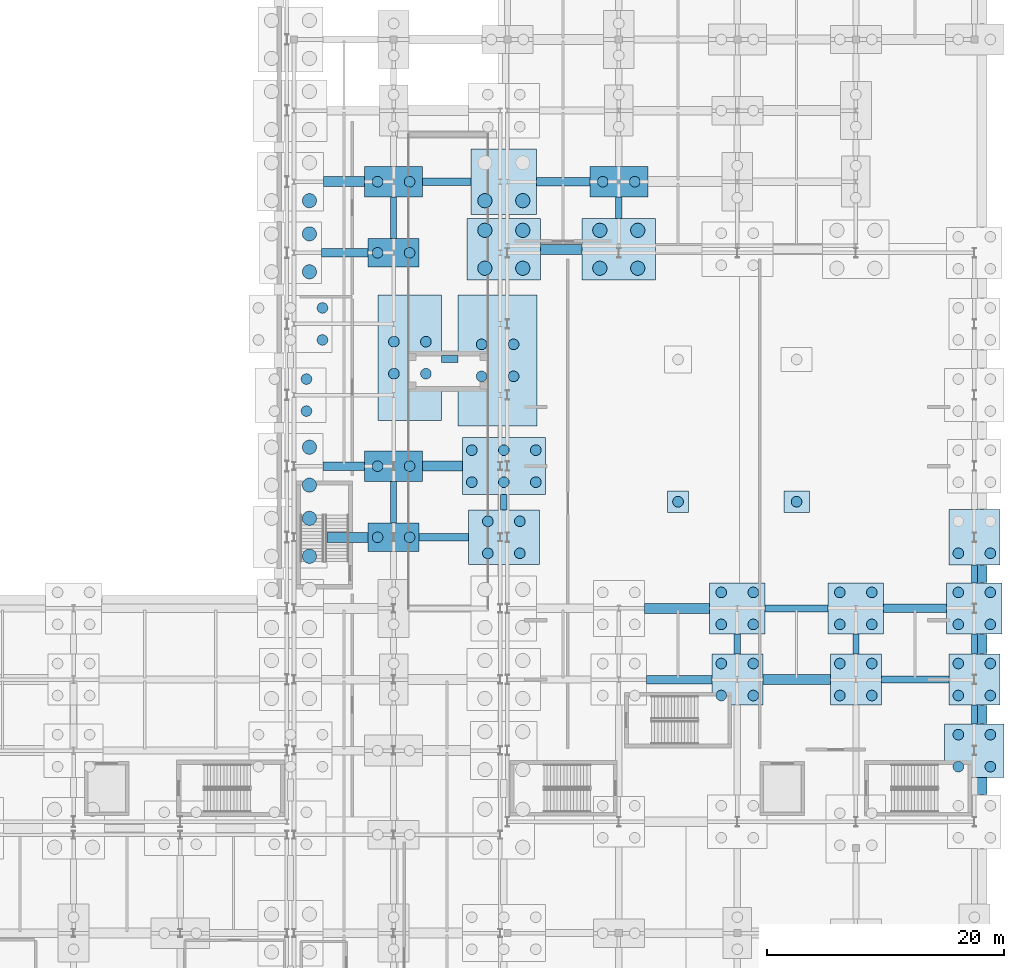
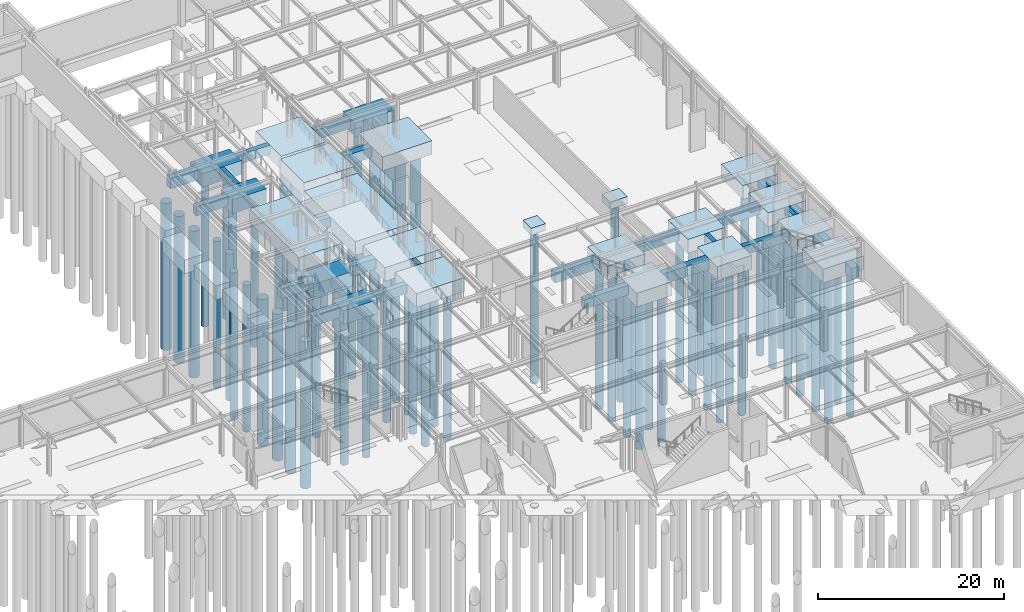
# One storey, part 10 of 65: 81 piles, 51 footings.
"""IFC4 building model written with IfcOpenShell, lengths in metres."""

from ifc_helpers import new_model, si_unit, direction, frame, origin, origin_2d, place, context, subcontext, project, spatial, rectangle, circle, extrude, material, material_profile, profile_set, type_object, element, save


model = new_model("IFC4")

# Units and contexts
model_context = context("Model", 3, precision=1e-05, world=origin(), true_north=direction((0.0, 1.0)))
body_context = subcontext(model_context, "Body", "Model", "MODEL_VIEW")
ifc_project = project(units=[si_unit("LENGTHUNIT", "METRE"), si_unit("AREAUNIT", "SQUARE_METRE"), si_unit("VOLUMEUNIT", "CUBIC_METRE"), si_unit("PLANEANGLEUNIT", "RADIAN"), si_unit("MASSUNIT", "GRAM", prefix="KILO")], contexts=[model_context])

# Site, building, storey
site_placement = place(None, origin())
site = spatial("IfcSite", under=ifc_project, at=site_placement, CompositionType="ELEMENT")
building_placement = place(site_placement, origin())
building = spatial("IfcBuilding", under=site, at=building_placement, Name="Kaldris Quays Convention Centre", CompositionType="ELEMENT")
storey_placement = place(building_placement, frame((0.0, 0.0, -5.39990234375)))
storey = spatial("IfcBuildingStorey", under=building, at=storey_placement, Name="B1", CompositionType="ELEMENT", Elevation=-5.39990234375)

# Piles
ifc_material = material(Name="Concrete C35/45", Category="concrete")
ifc_material_profile_1 = material_profile(ifc_material, circle(Radius=0.449951171875, at=origin_2d()), Name="BORED PILE D900")
ifc_profile_set_1 = profile_set([ifc_material_profile_1], Name="Concrete C35/45")
pile_type_1 = type_object("IfcPileType", Name="BORED PILE P01", PredefinedType="BORED", material=ifc_profile_set_1)
for number, where, z_axis, x_axis, name in (
    (1, (147.64990234375, 90.64990234375, -1.7001953125), (0.0, 0.0, -1.0), (1.0, 0.0, 0.0), "Bored Pile P01 486"),
    (2, (147.64990234375, 93.35009765625, -1.7001953125), (0.0, 0.0, -1.0), (1.0, 0.0, 0.0), "Bored Pile P01 488"),
    (3, (149.0, 96.64990234375, -1.7001953125), (0.0, 0.0, -1.0), (1.0, 0.0, 0.0), "Bored Pile P01 491"),
    (4, (149.0, 99.35009765625, -1.7001953125), (0.0, 0.0, -1.0), (1.0, 0.0, 0.0), "Bored Pile P01 494"),
    (5, (153.64990234375, 80.0, -1.7001953125), (0.0, 0.0, -1.0), (1.0, 0.0, 0.0), "Bored Pile P01 543"),
    (6, (156.35009765625, 80.0, -1.7001953125), (0.0, 0.0, -1.0), (1.0, 0.0, 0.0), "Bored Pile P01 544"),
    (7, (153.64990234375, 86.0, -1.7001953125), (0.0, 0.0, -1.0), (1.0, 0.0, 0.0), "Bored Pile P01 545"),
    (8, (156.35009765625, 86.0, -1.7001953125), (0.0, 0.0, -1.0), (1.0, 0.0, 0.0), "Bored Pile P01 546"),
    (9, (155.02490234375, 93.800048828125, -1.7001953125), (0.0, 0.0, -1.0), (1.0, 0.0, 0.0), "Bored Pile P01 547"),
    (10, (157.72509765625, 93.800048828125, -1.7001953125), (0.0, 0.0, -1.0), (1.0, 0.0, 0.0), "Bored Pile P01 548"),
    (11, (155.02490234375, 96.5, -1.7001953125), (0.0, 0.0, -1.0), (1.0, 0.0, 0.0), "Bored Pile P01 549"),
    (12, (157.72509765625, 96.5, -1.7001953125), (0.0, 0.0, -1.0), (1.0, 0.0, 0.0), "Bored Pile P01 550"),
    (13, (153.64990234375, 104.0, -1.7001953125), (0.0, 0.0, -1.0), (1.0, 0.0, 0.0), "Bored Pile P01 551"),
    (14, (156.35009765625, 104.0, -1.7001953125), (0.0, 0.0, -1.0), (1.0, 0.0, 0.0), "Bored Pile P01 552"),
    (15, (153.64990234375, 110.0, -1.7001953125), (0.0, 0.0, -1.0), (1.0, 0.0, 0.0), "Bored Pile P01 553"),
    (16, (156.35009765625, 110.0, -1.7001953125), (0.0, 0.0, -1.0), (1.0, 0.0, 0.0), "Bored Pile P01 554"),
    (17, (162.425048828125, 93.574951171875, -1.7001953125), (0.0, 0.0, -1.0), (1.0, 0.0, 0.0), "Bored Pile P01 559"),
    (18, (165.125, 93.574951171875, -1.7001953125), (0.0, 0.0, -1.0), (1.0, 0.0, 0.0), "Bored Pile P01 560"),
    (19, (162.425048828125, 96.27490234375, -1.7001953125), (0.0, 0.0, -1.0), (1.0, 0.0, 0.0), "Bored Pile P01 561"),
    (20, (165.125, 96.27490234375, -1.7001953125), (0.0, 0.0, -1.0), (1.0, 0.0, 0.0), "Bored Pile P01 562"),
    (21, (162.949951171875, 78.64990234375, -1.7001953125), (0.0, 0.0, -1.0), (1.0, 0.0, 0.0), "Bored Pile P01 589"),
    (22, (165.64990234375, 78.64990234375, -1.7001953125), (0.0, 0.0, -1.0), (1.0, 0.0, 0.0), "Bored Pile P01 590"),
    (23, (162.949951171875, 81.35009765625, -1.7001953125), (0.0, 0.0, -1.0), (1.0, 0.0, 0.0), "Bored Pile P01 591"),
    (24, (165.64990234375, 81.35009765625, -1.7001953125), (0.0, 0.0, -1.0), (1.0, 0.0, 0.0), "Bored Pile P01 592"),
    (25, (161.60009765625, 84.64990234375, -1.7001953125), (0.0, 0.0, -1.0), (1.0, 0.0, 0.0), "Bored Pile P01 593"),
    (26, (164.300048828125, 84.64990234375, -1.7001953125), (0.0, 0.0, -1.0), (1.0, 0.0, 0.0), "Bored Pile P01 594"),
    (27, (167.0, 84.64990234375, -1.7001953125), (0.0, 0.0, -1.0), (1.0, 0.0, 0.0), "Bored Pile P01 595"),
    (28, (161.60009765625, 87.35009765625, -1.7001953125), (0.0, 0.0, -1.0), (1.0, 0.0, 0.0), "Bored Pile P01 596"),
    (29, (164.300048828125, 87.35009765625, -1.7001953125), (0.0, 0.0, -1.0), (1.0, 0.0, 0.0), "Bored Pile P01 597"),
    (30, (167.0, 87.35009765625, -1.7001953125), (0.0, 0.0, -1.0), (1.0, 0.0, 0.0), "Bored Pile P01 598"),
    (31, (172.64990234375, 110.0, -1.7001953125), (0.0, 0.0, -1.0), (1.0, 0.0, 0.0), "Bored Pile P01 651"),
    (32, (175.35009765625, 110.0, -1.7001953125), (0.0, 0.0, -1.0), (1.0, 0.0, 0.0), "Bored Pile P01 652"),
    (33, (182.64990234375, 66.64990234375, -1.7001953125), (0.0, 0.0, -1.0), (1.0, 0.0, 0.0), "Bored Pile P01 675"),
    (34, (185.35009765625, 66.64990234375, -1.7001953125), (0.0, 0.0, -1.0), (1.0, 0.0, 0.0), "Bored Pile P01 676"),
    (35, (182.64990234375, 69.35009765625, -1.7001953125), (0.0, 0.0, -1.0), (1.0, 0.0, 0.0), "Bored Pile P01 677"),
    (36, (185.35009765625, 69.35009765625, -1.7001953125), (0.0, 0.0, -1.0), (1.0, 0.0, 0.0), "Bored Pile P01 678"),
    (37, (182.64990234375, 72.64990234375, -1.7001953125), (0.0, 0.0, -1.0), (1.0, 0.0, 0.0), "Bored Pile P01 679"),
    (38, (185.35009765625, 72.64990234375, -1.7001953125), (0.0, 0.0, -1.0), (1.0, 0.0, 0.0), "Bored Pile P01 680"),
    (39, (182.64990234375, 75.35009765625, -1.7001953125), (0.0, 0.0, -1.0), (1.0, 0.0, 0.0), "Bored Pile P01 681"),
    (40, (185.35009765625, 75.35009765625, -1.7001953125), (0.0, 0.0, -1.0), (1.0, 0.0, 0.0), "Bored Pile P01 682"),
    (41, (192.64990234375, 66.64990234375, -1.7001953125), (0.0, 0.0, -1.0), (1.0, 0.0, 0.0), "Bored Pile P01 711"),
    (42, (195.35009765625, 66.64990234375, -1.7001953125), (0.0, 0.0, -1.0), (1.0, 0.0, 0.0), "Bored Pile P01 712"),
    (43, (192.64990234375, 69.35009765625, -1.7001953125), (0.0, 0.0, -1.0), (1.0, 0.0, 0.0), "Bored Pile P01 713"),
    (44, (195.35009765625, 69.35009765625, -1.7001953125), (0.0, 0.0, -1.0), (1.0, 0.0, 0.0), "Bored Pile P01 714"),
    (45, (192.64990234375, 72.64990234375, -1.7001953125), (0.0, 0.0, -1.0), (1.0, 0.0, 0.0), "Bored Pile P01 715"),
    (46, (195.35009765625, 72.64990234375, -1.7001953125), (0.0, 0.0, -1.0), (1.0, 0.0, 0.0), "Bored Pile P01 716"),
    (47, (192.64990234375, 75.35009765625, -1.7001953125), (0.0, 0.0, -1.0), (1.0, 0.0, 0.0), "Bored Pile P01 717"),
    (48, (195.35009765625, 75.35009765625, -1.7001953125), (0.0, 0.0, -1.0), (1.0, 0.0, 0.0), "Bored Pile P01 718"),
    (49, (202.64990234375, 60.64990234375, -1.7001953125), (0.0, 0.0, -1.0), (1.0, 0.0, 0.0), "Bored Pile P01 747"),
    (50, (205.35009765625, 60.64990234375, -1.7001953125), (0.0, 0.0, -1.0), (1.0, 0.0, 0.0), "Bored Pile P01 748"),
    (51, (202.64990234375, 63.35009765625, -1.7001953125), (0.0, 0.0, -1.0), (1.0, 0.0, 0.0), "Bored Pile P01 749"),
    (52, (205.35009765625, 63.35009765625, -1.7001953125), (0.0, 0.0, -1.0), (1.0, 0.0, 0.0), "Bored Pile P01 750"),
    (53, (202.64990234375, 66.64990234375, -1.7001953125), (0.0, 0.0, -1.0), (1.0, 0.0, 0.0), "Bored Pile P01 751"),
    (54, (205.35009765625, 66.64990234375, -1.7001953125), (0.0, 0.0, -1.0), (1.0, 0.0, 0.0), "Bored Pile P01 752"),
    (55, (202.64990234375, 69.35009765625, -1.7001953125), (0.0, 0.0, -1.0), (1.0, 0.0, 0.0), "Bored Pile P01 753"),
    (56, (205.35009765625, 69.35009765625, -1.7001953125), (0.0, 0.0, -1.0), (1.0, 0.0, 0.0), "Bored Pile P01 754"),
    (57, (202.64990234375, 72.64990234375, -1.7001953125), (0.0, 0.0, -1.0), (1.0, 0.0, 0.0), "Bored Pile P01 755"),
    (58, (205.35009765625, 72.64990234375, -1.7001953125), (0.0, 0.0, -1.0), (1.0, 0.0, 0.0), "Bored Pile P01 756"),
    (59, (202.64990234375, 75.35009765625, -1.7001953125), (0.0, 0.0, -1.0), (1.0, 0.0, 0.0), "Bored Pile P01 757"),
    (60, (205.35009765625, 75.35009765625, -1.7001953125), (0.0, 0.0, -1.0), (1.0, 0.0, 0.0), "Bored Pile P01 758"),
    (61, (202.64990234375, 78.64990234375, -1.7001953125), (0.0, 0.0, -1.0), (1.0, 0.0, 0.0), "Bored Pile P01 759"),
    (62, (205.35009765625, 78.64990234375, -1.7001953125), (0.0, 0.0, -1.0), (1.0, 0.0, 0.0), "Bored Pile P01 760"),
):
    element("IfcPile", number, at=place(storey_placement, frame(where, z_axis=z_axis, x_axis=x_axis)), inside=storey, type_object=pile_type_1, Name=name, PredefinedType="BORED", context=body_context, shape_type="SweptSolid", body=[
        extrude(circle(Radius=0.449951171875, at=origin_2d()), origin(), (0.0, 0.0, 1.0), 19.300048828125),
    ])
pile_1_placement = place(storey_placement, frame((179.0, 83.0, -0.800048828125), z_axis=(0.0, 0.0, -1.0), x_axis=(1.0, 0.0, 0.0)))
element("IfcPile", 63, at=pile_1_placement, inside=storey, type_object=pile_type_1, Name="Bored Pile P01 789", PredefinedType="BORED", context=body_context, shape_type="SweptSolid", body=[
    extrude(circle(Radius=0.449951171875, at=origin_2d()), origin(), (0.0, 0.0, 1.0), 20.199951171875),
])
pile_2_placement = place(storey_placement, frame((189.0, 83.0, -0.85009765625), z_axis=(0.0, 0.0, -1.0), x_axis=(1.0, 0.0, 0.0)))
element("IfcPile", 64, at=pile_2_placement, inside=storey, type_object=pile_type_1, Name="Bored Pile P01 790", PredefinedType="BORED", context=body_context, shape_type="SweptSolid", body=[
    extrude(circle(Radius=0.449951171875, at=origin_2d()), origin(), (0.0, 0.0, 1.0), 20.14990234375),
])
ifc_material_profile_2 = material_profile(ifc_material, circle(Radius=0.60009765625, at=origin_2d()), Name="BORED PILE D1200")
ifc_profile_set_2 = profile_set([ifc_material_profile_2], Name="Concrete C35/45")
pile_type_2 = type_object("IfcPileType", Name="BORED PILE P02", PredefinedType="BORED", material=ifc_profile_set_2)
for number, where, z_axis, x_axis, name in (
    (65, (147.89990234375, 78.39990234375, -1.7001953125), (0.0, 0.0, -1.0), (1.0, 0.0, 0.0), "Bored Pile P02 478"),
    (66, (147.89990234375, 81.60009765625, -1.7001953125), (0.0, 0.0, -1.0), (1.0, 0.0, 0.0), "Bored Pile P02 480"),
    (67, (147.89990234375, 84.39990234375, -1.7001953125), (0.0, 0.0, -1.0), (1.0, 0.0, 0.0), "Bored Pile P02 482"),
    (68, (147.89990234375, 87.60009765625, -1.7001953125), (0.0, 0.0, -1.0), (1.0, 0.0, 0.0), "Bored Pile P02 484"),
    (69, (147.89990234375, 102.39990234375, -1.7001953125), (0.0, 0.0, -1.0), (1.0, 0.0, 0.0), "Bored Pile P02 496"),
    (70, (147.89990234375, 105.60009765625, -1.7001953125), (0.0, 0.0, -1.0), (1.0, 0.0, 0.0), "Bored Pile P02 498"),
    (71, (147.89990234375, 108.39990234375, -1.7001953125), (0.0, 0.0, -1.0), (1.0, 0.0, 0.0), "Bored Pile P02 500"),
    (72, (162.699951171875, 102.699951171875, -1.7001953125), (0.0, 0.0, -1.0), (1.0, 0.0, 0.0), "Bored Pile P02 599"),
    (73, (165.89990234375, 102.699951171875, -1.7001953125), (0.0, 0.0, -1.0), (1.0, 0.0, 0.0), "Bored Pile P02 600"),
    (74, (162.699951171875, 105.89990234375, -1.7001953125), (0.0, 0.0, -1.0), (1.0, 0.0, 0.0), "Bored Pile P02 601"),
    (75, (165.89990234375, 105.89990234375, -1.7001953125), (0.0, 0.0, -1.0), (1.0, 0.0, 0.0), "Bored Pile P02 602"),
    (76, (162.699951171875, 108.39990234375, -1.7001953125), (0.0, 0.0, -1.0), (1.0, 0.0, 0.0), "Bored Pile P02 603"),
    (77, (165.89990234375, 108.39990234375, -1.7001953125), (0.0, 0.0, -1.0), (1.0, 0.0, 0.0), "Bored Pile P02 604"),
    (78, (172.39990234375, 102.699951171875, -1.7001953125), (0.0, 0.0, -1.0), (1.0, 0.0, 0.0), "Bored Pile P02 647"),
    (79, (175.60009765625, 102.699951171875, -1.7001953125), (0.0, 0.0, -1.0), (1.0, 0.0, 0.0), "Bored Pile P02 648"),
    (80, (172.39990234375, 105.89990234375, -1.7001953125), (0.0, 0.0, -1.0), (1.0, 0.0, 0.0), "Bored Pile P02 649"),
    (81, (175.60009765625, 105.89990234375, -1.7001953125), (0.0, 0.0, -1.0), (1.0, 0.0, 0.0), "Bored Pile P02 650"),
):
    element("IfcPile", number, at=place(storey_placement, frame(where, z_axis=z_axis, x_axis=x_axis)), inside=storey, type_object=pile_type_2, Name=name, PredefinedType="BORED", context=body_context, shape_type="SweptSolid", body=[
        extrude(circle(Radius=0.60009765625, at=origin_2d()), origin(), (0.0, 0.0, 1.0), 19.300048828125),
    ])

# Footings
footing_type_1 = type_object("IfcFootingType", Name="CONCRETE FOOTING PC02", PredefinedType="PILE_CAP", material=ifc_material)
for number, where, z_axis, x_axis, name in (
    (82, (155.0, 80.0, -1.80029296875), (0.0, 0.0, 1.0), (1.0, 0.0, 0.0), "Pile Cap CAP-149 (PC02)"),
    (83, (155.0, 104.0, -1.80029296875), (0.0, 0.0, 1.0), (1.0, 0.0, 0.0), "Pile Cap CAP-153 (PC02)"),
):
    element("IfcFooting", number, at=place(storey_placement, frame(where, z_axis=z_axis, x_axis=x_axis)), inside=storey, type_object=footing_type_1, Name=name, PredefinedType="PILE_CAP", context=body_context, shape_type="SweptSolid", body=[
        extrude(rectangle(XDim=4.300048828125, YDim=2.39990234375, at=origin_2d()), origin(), (0.0, 0.0, 1.0), 1.800048828125),
    ])
footing_type_2 = type_object("IfcFootingType", Name="CONCRETE FOOTING PC04", PredefinedType="PILE_CAP", material=ifc_material)
for number, where, z_axis, x_axis, name in (
    (84, (184.0, 68.0, -1.80029296875), (0.0, 0.0, 1.0), (1.0, 0.0, 0.0), "Pile Cap CAP-201 (PC04)"),
    (85, (194.0, 68.0, -1.80029296875), (0.0, 0.0, 1.0), (1.0, 0.0, 0.0), "Pile Cap CAP-216 (PC04)"),
    (86, (204.0, 68.0, -1.80029296875), (0.0, 0.0, 1.0), (1.0, 0.0, 0.0), "Pile Cap CAP-231 (PC04)"),
):
    element("IfcFooting", number, at=place(storey_placement, frame(where, z_axis=z_axis, x_axis=x_axis)), inside=storey, type_object=footing_type_2, Name=name, PredefinedType="PILE_CAP", context=body_context, shape_type="SweptSolid", body=[
        extrude(rectangle(XDim=4.300048828125, YDim=4.300048828125, at=origin_2d()), origin(), (0.0, 0.0, 1.0), 1.800048828125),
    ])
footing_type_3 = type_object("IfcFootingType", Name="CONCRETE FOOTING PC06", PredefinedType="PILE_CAP", material=ifc_material)
footing_1_placement = place(storey_placement, frame((164.300048828125, 86.0, -1.80029296875), z_axis=(0.0, 0.0, 1.0), x_axis=(1.0, 0.0, 0.0)))
element("IfcFooting", 87, at=footing_1_placement, inside=storey, type_object=footing_type_3, Name="Pile Cap CAP-168 (PC06)", PredefinedType="PILE_CAP", context=body_context, shape_type="SweptSolid", body=[
    extrude(rectangle(XDim=7.0, YDim=4.800048828125, at=origin_2d()), origin(), (0.0, 0.0, 1.0), 1.800048828125),
])
footing_type_4 = type_object("IfcFootingType", Name="CONCRETE FOOTING PC07", PredefinedType="PILE_CAP", material=ifc_material)
for number, where, z_axis, x_axis, name in (
    (88, (184.0, 74.0, -1.80029296875), (0.0, 0.0, 1.0), (1.0, 0.0, 0.0), "Pile Cap CAP-202 (PC07)"),
    (89, (194.0, 74.0, -1.80029296875), (0.0, 0.0, 1.0), (1.0, 0.0, 0.0), "Pile Cap CAP-217 (PC07)"),
    (90, (204.0, 74.0, -1.80029296875), (0.0, 0.0, 1.0), (1.0, 0.0, 0.0), "Pile Cap CAP-232 (PC07)"),
):
    element("IfcFooting", number, at=place(storey_placement, frame(where, z_axis=z_axis, x_axis=x_axis)), inside=storey, type_object=footing_type_4, Name=name, PredefinedType="PILE_CAP", context=body_context, shape_type="SweptSolid", body=[
        extrude(rectangle(XDim=4.699951171875, YDim=4.300048828125, at=origin_2d()), origin(), (0.0, 0.0, 1.0), 1.800048828125),
    ])
footing_type_5 = type_object("IfcFootingType", Name="CONCRETE FOOTING PC08", PredefinedType="PILE_CAP", material=ifc_material)
footing_2_placement = place(storey_placement, frame((204.0, 80.0, -1.80029296875), z_axis=(0.0, 0.0, 1.0), x_axis=(1.0, 0.0, 0.0)))
element("IfcFooting", 91, at=footing_2_placement, inside=storey, type_object=footing_type_5, Name="Pile Cap CAP-233 (PC08)", PredefinedType="PILE_CAP", context=body_context, shape_type="SweptSolid", body=[
    extrude(rectangle(XDim=4.300048828125, YDim=4.699951171875, at=origin_2d()), origin(), (0.0, 0.0, 1.0), 1.800048828125),
])
footing_type_6 = type_object("IfcFootingType", Name="CONCRETE FOOTING PC10", PredefinedType="PILE_CAP", material=ifc_material)
for number, where, z_axis, x_axis, name in (
    (92, (164.300048828125, 104.300048828125, -1.80029296875), (0.0, 0.0, 1.0), (1.0, 0.0, 0.0), "Pile Cap CAP-171 (PC10)"),
    (93, (174.0, 104.300048828125, -1.80029296875), (0.0, 0.0, 1.0), (1.0, 0.0, 0.0), "Pile Cap CAP-189 (PC10)"),
):
    element("IfcFooting", number, at=place(storey_placement, frame(where, z_axis=z_axis, x_axis=x_axis)), inside=storey, type_object=footing_type_6, Name=name, PredefinedType="PILE_CAP", context=body_context, shape_type="SweptSolid", body=[
        extrude(rectangle(XDim=6.199951171875, YDim=5.199951171875, at=origin_2d()), origin(), (0.0, 0.0, 1.0), 1.800048828125),
    ])
footing_type_7 = type_object("IfcFootingType", Name="CONCRETE FOOTING PC11", PredefinedType="PILE_CAP", material=ifc_material)
for number, where, z_axis, x_axis, name in (
    (94, (155.0, 86.0, -1.80029296875), (0.0, 0.0, 1.0), (1.0, 0.0, 0.0), "Pile Cap CAP-150 (PC11)"),
    (95, (155.0, 110.0, -1.80029296875), (0.0, 0.0, 1.0), (1.0, 0.0, 0.0), "Pile Cap CAP-154 (PC11)"),
    (96, (174.0, 110.0, -1.80029296875), (0.0, 0.0, 1.0), (1.0, 0.0, 0.0), "Pile Cap CAP-190 (PC11)"),
):
    element("IfcFooting", number, at=place(storey_placement, frame(where, z_axis=z_axis, x_axis=x_axis)), inside=storey, type_object=footing_type_7, Name=name, PredefinedType="PILE_CAP", context=body_context, shape_type="SweptSolid", body=[
        extrude(rectangle(XDim=4.89990234375, YDim=2.60009765625, at=origin_2d()), origin(), (0.0, 0.0, 1.0), 1.800048828125),
    ])
footing_type_8 = type_object("IfcFootingType", Name="CONCRETE FOOTING PC14", PredefinedType="PILE_CAP", material=ifc_material)
footing_3_placement = place(storey_placement, frame((204.0, 62.0, -1.80029296875), z_axis=(0.0, 0.0, 1.0), x_axis=(1.0, 0.0, 0.0)))
element("IfcFooting", 97, at=footing_3_placement, inside=storey, type_object=footing_type_8, Name="Pile Cap CAP-230 (PC14)", PredefinedType="PILE_CAP", context=body_context, shape_type="SweptSolid", body=[
    extrude(rectangle(XDim=5.0, YDim=4.5, at=origin_2d()), origin(), (0.0, 0.0, 1.0), 1.800048828125),
])
footing_type_9 = type_object("IfcFootingType", Name="CONCRETE FOOTING PC15", PredefinedType="PILE_CAP", material=ifc_material)
footing_4_placement = place(storey_placement, frame((164.300048828125, 110.0, -1.80029296875), z_axis=(0.0, 0.0, 1.0), x_axis=(1.0, 0.0, 0.0)))
element("IfcFooting", 98, at=footing_4_placement, inside=storey, type_object=footing_type_9, Name="Pile Cap CAP-172 (PC15)", PredefinedType="PILE_CAP", context=body_context, shape_type="SweptSolid", body=[
    extrude(rectangle(XDim=5.5, YDim=5.5, at=origin_2d()), origin(), (0.0, 0.0, 1.0), 1.800048828125),
])
footing_type_10 = type_object("IfcFootingType", Name="CONCRETE FOOTING PC16", PredefinedType="PILE_CAP", material=ifc_material)
footing_5_placement = place(storey_placement, frame((164.300048828125, 80.0, -1.80029296875), z_axis=(0.0, 0.0, 1.0), x_axis=(1.0, 0.0, 0.0)))
element("IfcFooting", 99, at=footing_5_placement, inside=storey, type_object=footing_type_10, Name="Pile Cap CAP-167 (PC16)", PredefinedType="PILE_CAP", context=body_context, shape_type="SweptSolid", body=[
    extrude(rectangle(XDim=6.0, YDim=4.60009765625, at=origin_2d()), origin(), (0.0, 0.0, 1.0), 1.800048828125),
])
footing_type_11 = type_object("IfcFootingType", Name="CONCRETE FOOTING PCM02", PredefinedType="PILE_CAP", material=ifc_material)
footing_6_placement = place(storey_placement, frame((156.375, 95.14990234375, -1.80029296875), z_axis=(0.0, 0.0, 1.0), x_axis=(1.0, 0.0, 0.0)))
element("IfcFooting", 100, at=footing_6_placement, inside=storey, type_object=footing_type_11, Name="Pile Cap CAP-151 (PCM02)", PredefinedType="PILE_CAP", context=body_context, shape_type="SweptSolid", body=[
    extrude(rectangle(XDim=5.35009765625, YDim=10.60009765625, at=origin_2d()), origin(), (0.0, 0.0, 1.0), 1.800048828125),
])
footing_type_12 = type_object("IfcFootingType", Name="CONCRETE FOOTING PCM03", PredefinedType="PILE_CAP", material=ifc_material)
footing_7_placement = place(storey_placement, frame((163.77490234375, 94.925048828125, -1.80029296875), z_axis=(0.0, 0.0, 1.0), x_axis=(1.0, 0.0, 0.0)))
element("IfcFooting", 101, at=footing_7_placement, inside=storey, type_object=footing_type_12, Name="Pile Cap CAP-159 (PCM03)", PredefinedType="PILE_CAP", context=body_context, shape_type="SweptSolid", body=[
    extrude(rectangle(XDim=6.64990234375, YDim=11.050048828125, at=origin_2d()), origin(), (0.0, 0.0, 1.0), 1.800048828125),
])
footing_type_13 = type_object("IfcFootingType", Name="CONCRETE FOOTING PF01", PredefinedType="PAD_FOOTING", material=ifc_material)
footing_8_placement = place(storey_placement, frame((179.0, 83.0, -0.900146484375), z_axis=(0.0, 0.0, 1.0), x_axis=(1.0, 0.0, 0.0)))
element("IfcFooting", 102, at=footing_8_placement, inside=storey, type_object=footing_type_13, Name="Equipment Pad Footing PF01 5", PredefinedType="PAD_FOOTING", context=body_context, shape_type="SweptSolid", body=[
    extrude(rectangle(XDim=1.800048828125, YDim=1.800048828125, at=origin_2d()), origin(), (0.0, 0.0, 1.0), 0.89990234375),
])
footing_type_14 = type_object("IfcFootingType", Name="CONCRETE FOOTING PF02", PredefinedType="PAD_FOOTING", material=ifc_material)
footing_9_placement = place(storey_placement, frame((189.0, 83.0, -0.9501953125), z_axis=(0.0, 0.0, 1.0), x_axis=(1.0, 0.0, 0.0)))
element("IfcFooting", 103, at=footing_9_placement, inside=storey, type_object=footing_type_14, Name="Equipment Pad Footing PF02 6", PredefinedType="PAD_FOOTING", context=body_context, shape_type="SweptSolid", body=[
    extrude(rectangle(XDim=2.14990234375, YDim=1.800048828125, at=origin_2d()), origin(), (0.0, 0.0, 1.0), 0.949951171875),
])
footing_type_15 = type_object("IfcFootingType", Name="GROUND TIE BEAM GB01", PredefinedType="FOOTING_BEAM", material=ifc_material)
footing_10_placement = place(storey_placement, frame((199.0, 68.0, -1.2001953125), z_axis=(0.0, 0.0, 1.0), x_axis=(1.0, 0.0, 0.0)))
element("IfcFooting", 104, at=footing_10_placement, inside=storey, type_object=footing_type_15, Name="Ground Tie Beam GB01 105", PredefinedType="FOOTING_BEAM", context=body_context, shape_type="SweptSolid", body=[
    extrude(rectangle(XDim=5.699951171875, YDim=0.60009765625, at=origin_2d()), origin(), (0.0, 0.0, 1.0), 1.199951171875),
])
footing_11_placement = place(storey_placement, frame((189.0, 74.0, -1.2001953125), z_axis=(0.0, 0.0, 1.0), x_axis=(1.0, 0.0, 0.0)))
element("IfcFooting", 105, at=footing_11_placement, inside=storey, type_object=footing_type_15, Name="Ground Tie Beam GB01 117", PredefinedType="FOOTING_BEAM", context=body_context, shape_type="SweptSolid", body=[
    extrude(rectangle(XDim=5.300048828125, YDim=0.60009765625, at=origin_2d()), origin(), (0.0, 0.0, 1.0), 1.199951171875),
])
footing_12_placement = place(storey_placement, frame((159.22509765625, 80.0, -1.2001953125), z_axis=(0.0, 0.0, 1.0), x_axis=(1.0, 0.0, 0.0)))
element("IfcFooting", 106, at=footing_12_placement, inside=storey, type_object=footing_type_15, Name="Ground Tie Beam GB01 120", PredefinedType="FOOTING_BEAM", context=body_context, shape_type="SweptSolid", body=[
    extrude(rectangle(XDim=4.14990234375, YDim=0.60009765625, at=origin_2d()), origin(), (0.0, 0.0, 1.0), 1.199951171875),
])
footing_13_placement = place(storey_placement, frame((159.75, 95.037109375, -1.2001953125), z_axis=(0.0, 0.0, 1.0), x_axis=(1.0, 0.0, 0.0)))
element("IfcFooting", 107, at=footing_13_placement, inside=storey, type_object=footing_type_15, Name="Ground Tie Beam GB01 123", PredefinedType="FOOTING_BEAM", context=body_context, shape_type="SweptSolid", body=[
    extrude(rectangle(XDim=1.39990234375, YDim=0.60009765625, at=origin_2d()), origin(), (0.0, 0.0, 1.0), 1.199951171875),
])
footing_14_placement = place(storey_placement, frame((159.5, 110.0, -1.2001953125), z_axis=(0.0, 0.0, 1.0), x_axis=(1.0, 0.0, 0.0)))
element("IfcFooting", 108, at=footing_14_placement, inside=storey, type_object=footing_type_15, Name="Ground Tie Beam GB01 129", PredefinedType="FOOTING_BEAM", context=body_context, shape_type="SweptSolid", body=[
    extrude(rectangle(XDim=4.10009765625, YDim=0.60009765625, at=origin_2d()), origin(), (0.0, 0.0, 1.0), 1.199951171875),
])
footing_type_16 = type_object("IfcFootingType", Name="GROUND TIE BEAM GB02", PredefinedType="FOOTING_BEAM", material=ifc_material)
footing_15_placement = place(storey_placement, frame((179.10009765625, 68.0, -1.25), z_axis=(0.0, 0.0, 1.0), x_axis=(1.0, 0.0, 0.0)))
element("IfcFooting", 109, at=footing_15_placement, inside=storey, type_object=footing_type_16, Name="Ground Tie Beam GB02 103", PredefinedType="FOOTING_BEAM", context=body_context, shape_type="SweptSolid", body=[
    extrude(rectangle(XDim=5.5, YDim=0.719970703125, at=origin_2d()), origin(), (0.0, 0.0, 1.0), 1.25),
])
footing_16_placement = place(storey_placement, frame((199.0, 74.0, -1.25), z_axis=(0.0, 0.0, 1.0), x_axis=(1.0, 0.0, 0.0)))
element("IfcFooting", 110, at=footing_16_placement, inside=storey, type_object=footing_type_16, Name="Ground Tie Beam GB02 118", PredefinedType="FOOTING_BEAM", context=body_context, shape_type="SweptSolid", body=[
    extrude(rectangle(XDim=5.300048828125, YDim=0.719970703125, at=origin_2d()), origin(), (0.0, 0.0, 1.0), 1.25),
])
footing_17_placement = place(storey_placement, frame((150.800048828125, 86.0, -1.25), z_axis=(0.0, 0.0, 1.0), x_axis=(1.0, 0.0, 0.0)))
element("IfcFooting", 111, at=footing_17_placement, inside=storey, type_object=footing_type_16, Name="Ground Tie Beam GB02 121", PredefinedType="FOOTING_BEAM", context=body_context, shape_type="SweptSolid", body=[
    extrude(rectangle(XDim=3.5, YDim=0.719970703125, at=origin_2d()), origin(), (0.0, 0.0, 1.0), 1.25),
])
footing_18_placement = place(storey_placement, frame((150.875, 104.0, -1.25), z_axis=(0.0, 0.0, 1.0), x_axis=(1.0, 0.0, 0.0)))
element("IfcFooting", 112, at=footing_18_placement, inside=storey, type_object=footing_type_16, Name="Ground Tie Beam GB02 124", PredefinedType="FOOTING_BEAM", context=body_context, shape_type="SweptSolid", body=[
    extrude(rectangle(XDim=3.949951171875, YDim=0.719970703125, at=origin_2d()), origin(), (0.0, 0.0, 1.0), 1.25),
])
footing_19_placement = place(storey_placement, frame((169.300048828125, 110.0, -1.25), z_axis=(0.0, 0.0, 1.0), x_axis=(1.0, 0.0, 0.0)))
element("IfcFooting", 113, at=footing_19_placement, inside=storey, type_object=footing_type_16, Name="Ground Tie Beam GB02 130", PredefinedType="FOOTING_BEAM", context=body_context, shape_type="SweptSolid", body=[
    extrude(rectangle(XDim=4.5, YDim=0.719970703125, at=origin_2d()), origin(), (0.0, 0.0, 1.0), 1.25),
])
footing_type_17 = type_object("IfcFootingType", Name="GROUND TIE BEAM GB03", PredefinedType="FOOTING_BEAM", material=ifc_material)
for number, where, z_axis, x_axis, name in (
    (114, (155.0, 82.949951171875, -1.05029296875), (0.0, 0.0, 1.0), (1.0, 0.0, 0.0), "Ground Tie Beam GB03 278"),
    (115, (155.0, 106.949951171875, -1.05029296875), (0.0, 0.0, 1.0), (1.0, 0.0, 0.0), "Ground Tie Beam GB03 279"),
):
    element("IfcFooting", number, at=place(storey_placement, frame(where, z_axis=z_axis, x_axis=x_axis)), inside=storey, type_object=footing_type_17, Name=name, PredefinedType="FOOTING_BEAM", context=body_context, shape_type="SweptSolid", body=[
        extrude(rectangle(XDim=0.52001953125, YDim=3.5, at=origin_2d()), origin(), (0.0, 0.0, 1.0), 1.050048828125),
    ])
footing_20_placement = place(storey_placement, frame((164.300048828125, 82.949951171875, -1.05029296875), z_axis=(0.0, 0.0, 1.0), x_axis=(1.0, 0.0, 0.0)))
element("IfcFooting", 116, at=footing_20_placement, inside=storey, type_object=footing_type_17, Name="Ground Tie Beam GB03 287", PredefinedType="FOOTING_BEAM", context=body_context, shape_type="SweptSolid", body=[
    extrude(rectangle(XDim=0.52001953125, YDim=1.300048828125, at=origin_2d()), origin(), (0.0, 0.0, 1.0), 1.050048828125),
])
footing_21_placement = place(storey_placement, frame((174.0, 107.800048828125, -1.05029296875), z_axis=(0.0, 0.0, 1.0), x_axis=(1.0, 0.0, 0.0)))
element("IfcFooting", 117, at=footing_21_placement, inside=storey, type_object=footing_type_17, Name="Ground Tie Beam GB03 297", PredefinedType="FOOTING_BEAM", context=body_context, shape_type="SweptSolid", body=[
    extrude(rectangle(XDim=0.52001953125, YDim=1.800048828125, at=origin_2d()), origin(), (0.0, 0.0, 1.0), 1.050048828125),
])
for number, where, z_axis, x_axis, name in (
    (118, (184.0, 71.0, -1.05029296875), (0.0, 0.0, 1.0), (1.0, 0.0, 0.0), "Ground Tie Beam GB03 307"),
    (119, (194.0, 71.0, -1.05029296875), (0.0, 0.0, 1.0), (1.0, 0.0, 0.0), "Ground Tie Beam GB03 318"),
):
    element("IfcFooting", number, at=place(storey_placement, frame(where, z_axis=z_axis, x_axis=x_axis)), inside=storey, type_object=footing_type_17, Name=name, PredefinedType="FOOTING_BEAM", context=body_context, shape_type="SweptSolid", body=[
        extrude(rectangle(XDim=0.52001953125, YDim=1.699951171875, at=origin_2d()), origin(), (0.0, 0.0, 1.0), 1.050048828125),
    ])
footing_22_placement = place(storey_placement, frame((204.0, 65.050048828125, -1.05029296875), z_axis=(0.0, 0.0, 1.0), x_axis=(1.0, 0.0, 0.0)))
element("IfcFooting", 120, at=footing_22_placement, inside=storey, type_object=footing_type_17, Name="Ground Tie Beam GB03 328", PredefinedType="FOOTING_BEAM", context=body_context, shape_type="SweptSolid", body=[
    extrude(rectangle(XDim=0.52001953125, YDim=1.60009765625, at=origin_2d()), origin(), (0.0, 0.0, 1.0), 1.050048828125),
])
footing_23_placement = place(storey_placement, frame((204.0, 71.0, -1.05029296875), z_axis=(0.0, 0.0, 1.0), x_axis=(1.0, 0.0, 0.0)))
element("IfcFooting", 121, at=footing_23_placement, inside=storey, type_object=footing_type_17, Name="Ground Tie Beam GB03 329", PredefinedType="FOOTING_BEAM", context=body_context, shape_type="SweptSolid", body=[
    extrude(rectangle(XDim=0.52001953125, YDim=1.699951171875, at=origin_2d()), origin(), (0.0, 0.0, 1.0), 1.050048828125),
])
footing_24_placement = place(storey_placement, frame((204.0, 76.89990234375, -1.05029296875), z_axis=(0.0, 0.0, 1.0), x_axis=(1.0, 0.0, 0.0)))
element("IfcFooting", 122, at=footing_24_placement, inside=storey, type_object=footing_type_17, Name="Ground Tie Beam GB03 330", PredefinedType="FOOTING_BEAM", context=body_context, shape_type="SweptSolid", body=[
    extrude(rectangle(XDim=0.52001953125, YDim=1.5, at=origin_2d()), origin(), (0.0, 0.0, 1.0), 1.050048828125),
])
footing_type_18 = type_object("IfcFootingType", Name="GROUND TIE BEAM GB04", PredefinedType="FOOTING_BEAM", material=ifc_material)
footing_25_placement = place(storey_placement, frame((189.0, 68.0, -1.35009765625), z_axis=(0.0, 0.0, 1.0), x_axis=(1.0, 0.0, 0.0)))
element("IfcFooting", 123, at=footing_25_placement, inside=storey, type_object=footing_type_18, Name="Ground Tie Beam GB04 104", PredefinedType="FOOTING_BEAM", context=body_context, shape_type="SweptSolid", body=[
    extrude(rectangle(XDim=5.699951171875, YDim=0.840087890625, at=origin_2d()), origin(), (0.0, 0.0, 1.0), 1.35009765625),
])
footing_26_placement = place(storey_placement, frame((178.89990234375, 74.0, -1.35009765625), z_axis=(0.0, 0.0, 1.0), x_axis=(1.0, 0.0, 0.0)))
element("IfcFooting", 124, at=footing_26_placement, inside=storey, type_object=footing_type_18, Name="Ground Tie Beam GB04 116", PredefinedType="FOOTING_BEAM", context=body_context, shape_type="SweptSolid", body=[
    extrude(rectangle(XDim=5.5, YDim=0.840087890625, at=origin_2d()), origin(), (0.0, 0.0, 1.0), 1.35009765625),
])
footing_27_placement = place(storey_placement, frame((151.125, 80.0, -1.35009765625), z_axis=(0.0, 0.0, 1.0), x_axis=(1.0, 0.0, 0.0)))
element("IfcFooting", 125, at=footing_27_placement, inside=storey, type_object=footing_type_18, Name="Ground Tie Beam GB04 119", PredefinedType="FOOTING_BEAM", context=body_context, shape_type="SweptSolid", body=[
    extrude(rectangle(XDim=3.449951171875, YDim=0.840087890625, at=origin_2d()), origin(), (0.0, 0.0, 1.0), 1.35009765625),
])
footing_28_placement = place(storey_placement, frame((159.125, 86.0, -1.35009765625), z_axis=(0.0, 0.0, 1.0), x_axis=(1.0, 0.0, 0.0)))
element("IfcFooting", 126, at=footing_28_placement, inside=storey, type_object=footing_type_18, Name="Ground Tie Beam GB04 122", PredefinedType="FOOTING_BEAM", context=body_context, shape_type="SweptSolid", body=[
    extrude(rectangle(XDim=3.35009765625, YDim=0.840087890625, at=origin_2d()), origin(), (0.0, 0.0, 1.0), 1.35009765625),
])
footing_29_placement = place(storey_placement, frame((169.14990234375, 104.300048828125, -1.35009765625), z_axis=(0.0, 0.0, 1.0), x_axis=(1.0, 0.0, 0.0)))
element("IfcFooting", 127, at=footing_29_placement, inside=storey, type_object=footing_type_18, Name="Ground Tie Beam GB04 125", PredefinedType="FOOTING_BEAM", context=body_context, shape_type="SweptSolid", body=[
    extrude(rectangle(XDim=3.5, YDim=0.840087890625, at=origin_2d()), origin(), (0.0, 0.0, 1.0), 1.35009765625),
])
footing_30_placement = place(storey_placement, frame((150.824951171875, 110.0, -1.35009765625), z_axis=(0.0, 0.0, 1.0), x_axis=(1.0, 0.0, 0.0)))
element("IfcFooting", 128, at=footing_30_placement, inside=storey, type_object=footing_type_18, Name="Ground Tie Beam GB04 128", PredefinedType="FOOTING_BEAM", context=body_context, shape_type="SweptSolid", body=[
    extrude(rectangle(XDim=3.449951171875, YDim=0.840087890625, at=origin_2d()), origin(), (0.0, 0.0, 1.0), 1.35009765625),
])
footing_31_placement = place(storey_placement, frame((204.64990234375, 59.0, -1.35009765625), z_axis=(0.0, 0.0, 1.0), x_axis=(1.0, 0.0, 0.0)))
element("IfcFooting", 129, at=footing_31_placement, inside=storey, type_object=footing_type_18, Name="Perimeter Retaining Wall Strip Footing GB04 34", PredefinedType="FOOTING_BEAM", context=body_context, shape_type="SweptSolid", body=[
    extrude(rectangle(XDim=0.840087890625, YDim=1.43994140625, at=origin_2d()), origin(), (0.0, 0.0, 1.0), 1.35009765625),
])
footing_32_placement = place(storey_placement, frame((204.64990234375, 65.050048828125, -1.35009765625), z_axis=(0.0, 0.0, 1.0), x_axis=(1.0, 0.0, 0.0)))
element("IfcFooting", 130, at=footing_32_placement, inside=storey, type_object=footing_type_18, Name="Perimeter Retaining Wall Strip Footing GB04 35", PredefinedType="FOOTING_BEAM", context=body_context, shape_type="SweptSolid", body=[
    extrude(rectangle(XDim=0.840087890625, YDim=1.5400390625, at=origin_2d()), origin(), (0.0, 0.0, 1.0), 1.35009765625),
])
footing_33_placement = place(storey_placement, frame((204.64990234375, 71.0, -1.35009765625), z_axis=(0.0, 0.0, 1.0), x_axis=(1.0, 0.0, 0.0)))
element("IfcFooting", 131, at=footing_33_placement, inside=storey, type_object=footing_type_18, Name="Perimeter Retaining Wall Strip Footing GB04 36", PredefinedType="FOOTING_BEAM", context=body_context, shape_type="SweptSolid", body=[
    extrude(rectangle(XDim=0.840087890625, YDim=1.639892578125, at=origin_2d()), origin(), (0.0, 0.0, 1.0), 1.35009765625),
])
footing_34_placement = place(storey_placement, frame((204.64990234375, 76.89990234375, -1.35009765625), z_axis=(0.0, 0.0, 1.0), x_axis=(1.0, 0.0, 0.0)))
element("IfcFooting", 132, at=footing_34_placement, inside=storey, type_object=footing_type_18, Name="Perimeter Retaining Wall Strip Footing GB04 37", PredefinedType="FOOTING_BEAM", context=body_context, shape_type="SweptSolid", body=[
    extrude(rectangle(XDim=0.840087890625, YDim=1.43994140625, at=origin_2d()), origin(), (0.0, 0.0, 1.0), 1.35009765625),
])

save(model, "model.ifc")
